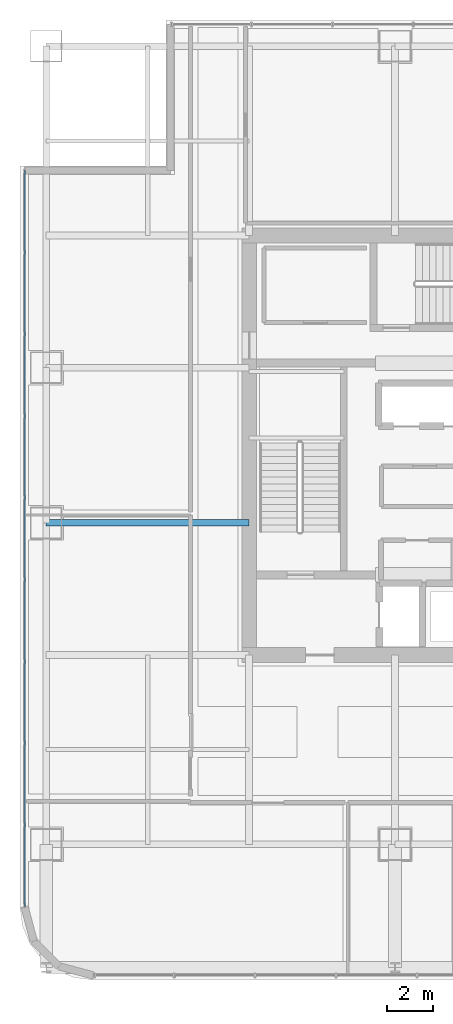
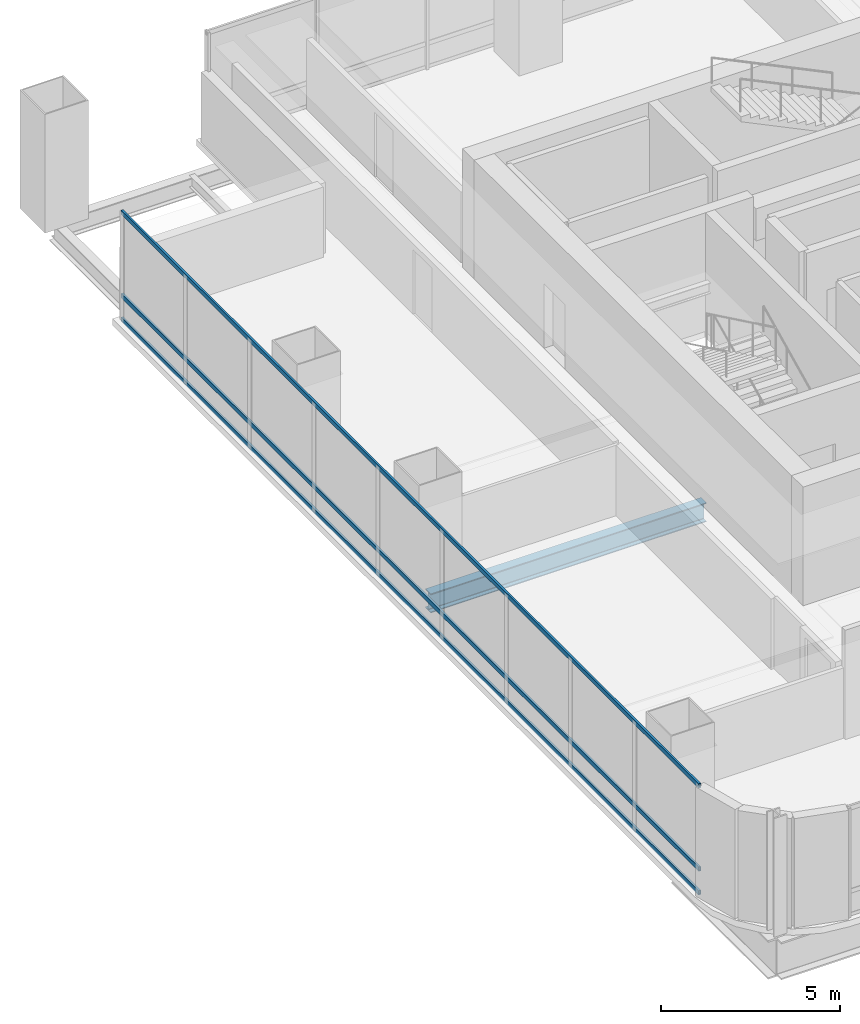
# One storey, part 10 of 35: 3 members, 1 beam, 1 element without a shape of its own.
"""IFC4 building model written with IfcOpenShell, lengths in metres."""

from ifc_helpers import new_model, si_unit, direction, frame, origin, origin_2d, place, context, subcontext, project, spatial, hollow_rectangle, i_section, extrude, material, material_profile, profile_set, type_object, element, aggregate, save


model = new_model("IFC4")

# Units and contexts
model_context = context("Model", 3, precision=1e-05, world=origin(), true_north=direction((0.0, 1.0)))
body_context = subcontext(model_context, "Body", "Model", "MODEL_VIEW")
ifc_project = project(units=[si_unit("LENGTHUNIT", "METRE"), si_unit("AREAUNIT", "SQUARE_METRE"), si_unit("VOLUMEUNIT", "CUBIC_METRE"), si_unit("PLANEANGLEUNIT", "RADIAN"), si_unit("MASSUNIT", "GRAM", prefix="KILO")], contexts=[model_context])

# Site, building, storey
site_placement = place(None, origin())
site = spatial("IfcSite", under=ifc_project, at=site_placement, CompositionType="ELEMENT")
building_placement = place(site_placement, origin())
building = spatial("IfcBuilding", under=site, at=building_placement, Name="Punatoya Terracotta Tower", CompositionType="ELEMENT")
storey_placement = place(building_placement, frame((0.0, 0.0, 232.949951171875)))
storey = spatial("IfcBuildingStorey", under=building, at=storey_placement, Name="L55", CompositionType="ELEMENT", Elevation=232.949951171875)

# Beam
ifc_material_1 = material(Name="Steel S355", Category="steel")
ifc_material_profile_1 = material_profile(ifc_material_1, i_section(OverallWidth=0.300048828125, OverallDepth=0.64990234375, WebThickness=0.01611328125, FlangeThickness=0.031005859375, FilletRadius=0.01806640625, at=origin_2d()))
ifc_profile_set_1 = profile_set([ifc_material_profile_1], Name="Steel S355")
beam_type = type_object("IfcBeamType", Name="BM-PRI-650", PredefinedType="BEAM", material=ifc_profile_set_1)
beam_placement = place(storey_placement, frame((-19.10009765625, -3.39990234375, -0.544921875), z_axis=(1.0, 0.0, 0.0), x_axis=(0.0, 1.0, 0.0)))
element("IfcBeam", 1, at=beam_placement, inside=storey, type_object=beam_type, Name="BM-L55-PR-WD", PredefinedType="BEAM", context=body_context, shape_type="SweptSolid", body=[
    extrude(i_section(OverallWidth=0.300048828125, OverallDepth=0.64990234375, WebThickness=0.01611328125, FlangeThickness=0.031005859375, FilletRadius=0.01806640625, at=origin_2d()), origin(), (0.0, 0.0, 1.0), 8.900146484375),
])

# Curtain wall, members
ifc_material_2 = material(Name="Aluminium 6063-T6 + Double Low-E Glass", Category="aluminium")
curtain_wall_type = type_object("IfcCurtainWallType", Name="CW-M2", PredefinedType="NOTDEFINED", material=ifc_material_2)
curtain_wall_placement = place(storey_placement, origin())
curtain_wall = element("IfcCurtainWall", 2, at=curtain_wall_placement, inside=storey, type_object=curtain_wall_type, Name="L55 Curtain Wall CW-L55-W11-1", PredefinedType="NOTDEFINED")
ifc_material_3 = material(Name="Aluminium 6063-T6", Category="aluminium")
ifc_material_profile_2 = material_profile(ifc_material_3, hollow_rectangle(XDim=0.068115234375, YDim=0.14990234375, WallThickness=0.00390625, at=origin_2d()))
ifc_profile_set_2 = profile_set([ifc_material_profile_2], Name="Aluminium 6063-T6")
member_type = type_object("IfcMemberType", Name="CW-TRN-TYP", PredefinedType="USERDEFINED", material=ifc_profile_set_2)
member_1_placement = place(storey_placement, frame((-20.050048828125, 12.050048828125, 0.0400390625), z_axis=(0.0, -1.0, 0.0), x_axis=(1.0, 0.0, 0.0)))
member_1 = element("IfcMember", 3, at=member_1_placement, type_object=member_type, Name="CW-L55-W11-1 Transom 1", ObjectType="TRANSOM", PredefinedType="USERDEFINED", context=body_context, shape_type="SweptSolid", body=[
    extrude(hollow_rectangle(XDim=0.068115234375, YDim=0.14990234375, WallThickness=0.00390625, at=origin_2d()), origin(), (0.0, 0.0, 1.0), 32.286865234375),
])
member_2_placement = place(storey_placement, frame((-20.050048828125, 12.050048828125, 0.85009765625), z_axis=(0.0, -1.0, 0.0), x_axis=(1.0, 0.0, 0.0)))
member_2 = element("IfcMember", 4, at=member_2_placement, type_object=member_type, Name="CW-L55-W11-1 Transom 2", ObjectType="TRANSOM", PredefinedType="USERDEFINED", context=body_context, shape_type="SweptSolid", body=[
    extrude(hollow_rectangle(XDim=0.068115234375, YDim=0.14990234375, WallThickness=0.00390625, at=origin_2d()), origin(), (0.0, 0.0, 1.0), 32.286865234375),
])
member_3_placement = place(storey_placement, frame((-20.050048828125, 12.050048828125, 3.68994140625), z_axis=(0.0, -1.0, 0.0), x_axis=(1.0, 0.0, 0.0)))
member_3 = element("IfcMember", 5, at=member_3_placement, type_object=member_type, Name="CW-L55-W11-1 Transom 3", ObjectType="TRANSOM", PredefinedType="USERDEFINED", context=body_context, shape_type="SweptSolid", body=[
    extrude(hollow_rectangle(XDim=0.068115234375, YDim=0.14990234375, WallThickness=0.00390625, at=origin_2d()), origin(), (0.0, 0.0, 1.0), 32.286865234375),
])
aggregate(curtain_wall, [member_1, member_2, member_3])

save(model, "model.ifc")
